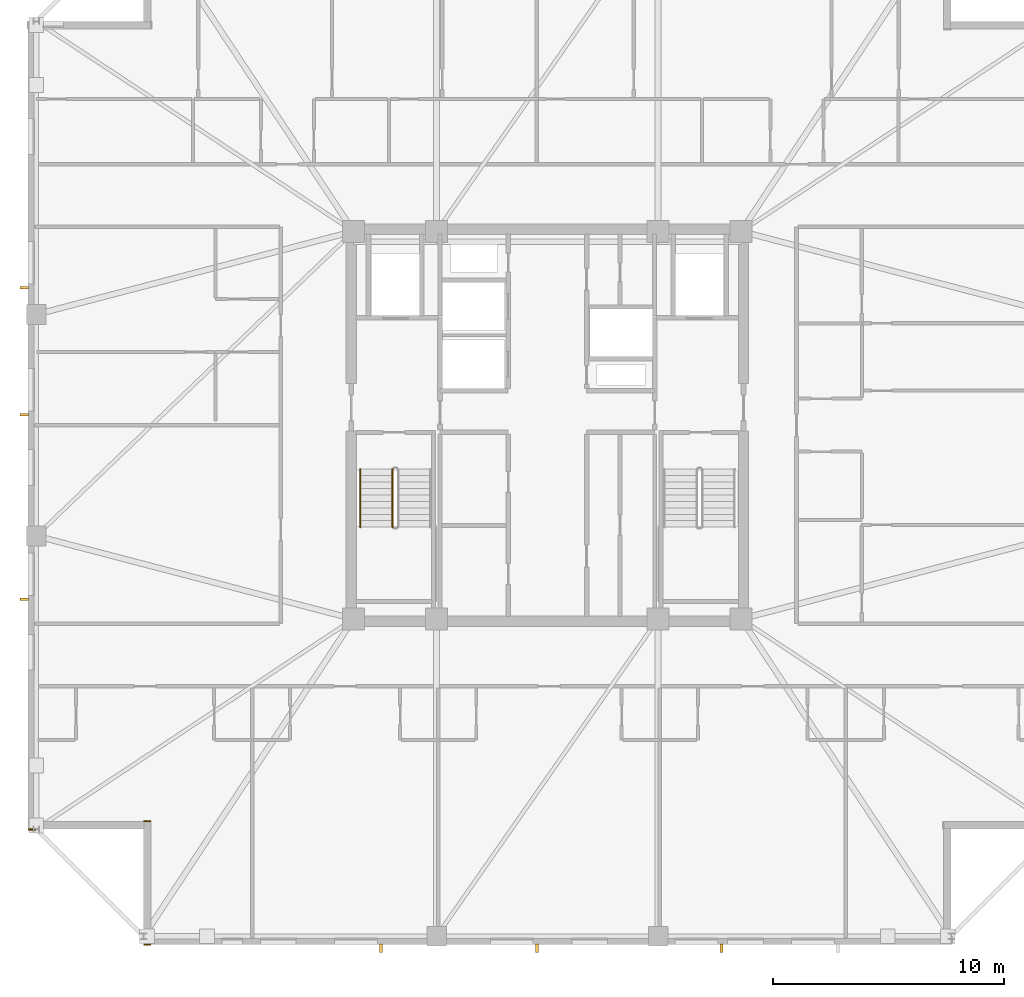
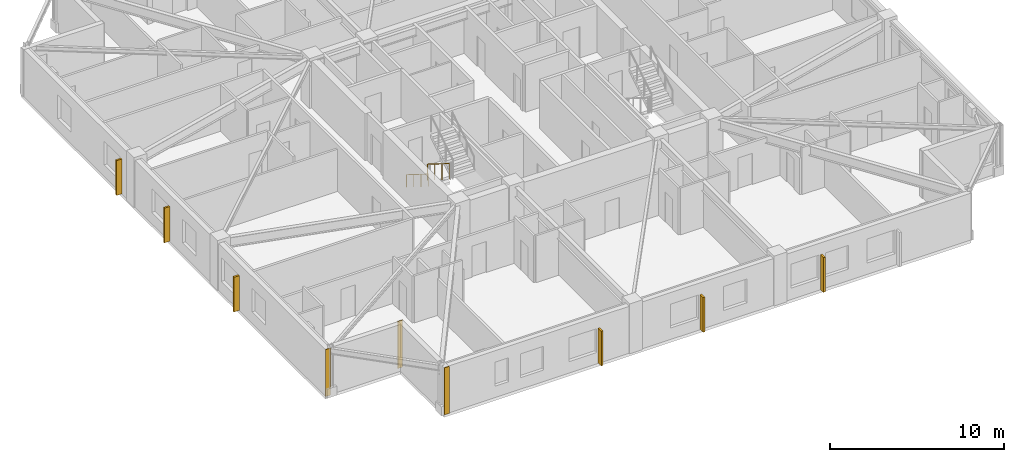
# One storey, part 13 of 17: 6 shading devices, 3 coverings, 2 railings.
"""IFC4 building model written with IfcOpenShell, lengths in metres."""

from ifc_helpers import new_model, si_unit, direction, frame, frame_2d, origin, origin_2d, place, context, subcontext, project, spatial, rectangle, circle, extrude, material, layer, layer_set, type_object, element, save


model = new_model("IFC4")

# Units and contexts
model_context = context("Model", 3, precision=1e-05, world=origin(), true_north=direction((0.0, 1.0)))
body_context = subcontext(model_context, "Body", "Model", "MODEL_VIEW")
ifc_project = project(units=[si_unit("LENGTHUNIT", "METRE"), si_unit("AREAUNIT", "SQUARE_METRE"), si_unit("VOLUMEUNIT", "CUBIC_METRE"), si_unit("PLANEANGLEUNIT", "RADIAN"), si_unit("MASSUNIT", "GRAM", prefix="KILO")], contexts=[model_context])

# Site, building, storey
site_placement = place(None, origin())
site = spatial("IfcSite", under=ifc_project, at=site_placement, CompositionType="ELEMENT")
building_placement = place(site_placement, origin())
building = spatial("IfcBuilding", under=site, at=building_placement, Name="Cairnveth Concourse Tower", CompositionType="ELEMENT")
storey_placement = place(building_placement, frame((0.0, 0.0, 216.5)))
storey = spatial("IfcBuildingStorey", under=building, at=storey_placement, Name="L59", CompositionType="ELEMENT", Elevation=216.5)

# Coverings
ifc_material_1 = material(Name="Dressed Melbourne Bluestone Cladding", Category="masonry")
ifc_layer = layer(ifc_material_1, 0.050048828125)
ifc_layer_set = layer_set([ifc_layer], Name="Dressed Melbourne Bluestone Cladding")
covering_type = type_object("IfcCoveringType", Name="DRESSED BLUESTONE PLINTH CLADDING 50", PredefinedType="CLADDING", material=ifc_layer_set)
for number, where, z_axis, x_axis, name in (
    (1, (34.820068359375, 16.47998046875, 0.0), (0.0, 0.0, 1.0), (-1.0, 0.0, 0.0), "Melbourne Bluestone Corner Quoin L59-886"),
    (2, (34.820068359375, 21.840087890625, 0.0), (0.0, 0.0, 1.0), (-1.0, 0.0, 0.0), "Melbourne Bluestone Corner Quoin L59-887"),
    (3, (29.820068359375, 21.47998046875, 0.0), (0.0, 0.0, 1.0), (-1.0, 0.0, 0.0), "Melbourne Bluestone Corner Quoin L59-888"),
):
    element("IfcCovering", number, at=place(storey_placement, frame(where, z_axis=z_axis, x_axis=x_axis)), inside=storey, type_object=covering_type, Name=name, PredefinedType="CLADDING", context=body_context, shape_type="SweptSolid", body=[
        extrude(rectangle(XDim=0.320068359375, YDim=0.050048828125, at=frame_2d((0.16015625, 0.0))), origin(), (0.0, 0.0, 1.0), 3.2900390625),
    ])

# Shading devices
ifc_material_2 = material(Name="Architectural Bronze Anodised Aluminium 6063-T6", Category="aluminium")
shading_device_type = type_object("IfcShadingDeviceType", Name="GOTHIC BRONZE VERTICAL LANCET FIN", PredefinedType="USERDEFINED", material=ifc_material_2)
for number, where, z_axis, x_axis, name in (
    (4, (59.546875, 16.324951171875, 0.030029296875), (0.0, 0.0, 1.0), (1.0, 0.0, 0.0), "Gothic Bronze Vertical Fin L59-6-3"),
    (5, (51.54638671875, 16.324951171875, 0.030029296875), (0.0, 0.0, 1.0), (1.0, 0.0, 0.0), "Gothic Bronze Vertical Fin L59-6-5"),
    (6, (44.7958984375, 16.324951171875, 0.030029296875), (0.0, 0.0, 1.0), (1.0, 0.0, 0.0), "Gothic Bronze Vertical Fin L59-6-7"),
    (7, (29.324951171875, 31.453125, 0.030029296875), (0.0, 0.0, 1.0), (0.0, 1.0, 0.0), "Gothic Bronze Vertical Fin L59-9-3"),
    (8, (29.324951171875, 39.45361328125, 0.030029296875), (0.0, 0.0, 1.0), (0.0, 1.0, 0.0), "Gothic Bronze Vertical Fin L59-9-5"),
    (9, (29.324951171875, 44.9541015625, 0.030029296875), (0.0, 0.0, 1.0), (0.0, 1.0, 0.0), "Gothic Bronze Vertical Fin L59-9-7"),
):
    element("IfcShadingDevice", number, at=place(storey_placement, frame(where, z_axis=z_axis, x_axis=x_axis)), inside=storey, type_object=shading_device_type, Name=name, ObjectType="VERTICAL FIN", PredefinedType="USERDEFINED", context=body_context, shape_type="SweptSolid", body=[
        extrude(rectangle(XDim=0.1201171875, YDim=0.360107421875, at=origin_2d()), origin(), (0.0, 0.0, 1.0), 2.43798828125),
    ])

# Railings
ifc_material_3 = material(Name="Steel Grade 350", Category="steel")
railing_type_1 = type_object("IfcRailingType", Name="STAIR GUARDRAIL 1150", PredefinedType="GUARDRAIL", material=ifc_material_3)
railing_1_placement = place(storey_placement, frame((45.2900390625, 37.10009765625, 0.175048828125)))
element("IfcRailing", 10, at=railing_1_placement, inside=storey, type_object=railing_type_1, Name="L59 ST-1 stair guard 1", PredefinedType="GUARDRAIL", context=body_context, shape_type="SweptSolid", body=[
    extrude(circle(Radius=0.02392578125, at=origin_2d()), frame((0.0, 0.0, 1.1259765625), z_axis=(0.0, -0.848007534815, 0.529984170421), x_axis=(1.0, 0.0, 0.0)), (0.0, 0.0, 1.0), 2.9716796875),
    extrude(circle(Radius=0.02099609375, at=origin_2d()), origin(), (0.0, 0.0, 1.0), 1.101806640625),
    extrude(circle(Radius=0.02099609375, at=origin_2d()), frame((0.0, -0.840087890625, 0.52490234375)), (0.0, 0.0, 1.0), 1.101806640625),
    extrude(circle(Radius=0.02099609375, at=origin_2d()), frame((0.0, -1.679931640625, 1.050048828125)), (0.0, 0.0, 1.0), 1.101806640625),
    extrude(circle(Radius=0.02099609375, at=origin_2d()), frame((0.0, -2.52001953125, 1.574951171875)), (0.0, 0.0, 1.0), 1.101806640625),
])
railing_type_2 = type_object("IfcRailingType", Name="STAIR WALL HANDRAIL 900", PredefinedType="HANDRAIL", material=ifc_material_3)
railing_2_placement = place(storey_placement, frame((43.889892578125, 37.10009765625, 0.175048828125)))
element("IfcRailing", 11, at=railing_2_placement, inside=storey, type_object=railing_type_2, Name="L59 ST-1 stair handrail 1", PredefinedType="HANDRAIL", context=body_context, shape_type="SweptSolid", body=[
    extrude(circle(Radius=0.02392578125, at=origin_2d()), frame((0.0, 0.0, 0.8759765625), z_axis=(0.0, -0.848007534815, 0.529984170421), x_axis=(1.0, 0.0, 0.0)), (0.0, 0.0, 1.0), 2.9716796875),
    extrude(circle(Radius=0.02099609375, at=origin_2d()), origin(), (0.0, 0.0, 1.0), 0.851806640625),
    extrude(circle(Radius=0.02099609375, at=origin_2d()), frame((0.0, -0.840087890625, 0.52490234375)), (0.0, 0.0, 1.0), 0.851806640625),
    extrude(circle(Radius=0.02099609375, at=origin_2d()), frame((0.0, -1.679931640625, 1.050048828125)), (0.0, 0.0, 1.0), 0.851806640625),
    extrude(circle(Radius=0.02099609375, at=origin_2d()), frame((0.0, -2.52001953125, 1.574951171875)), (0.0, 0.0, 1.0), 0.851806640625),
])

save(model, "model.ifc")
